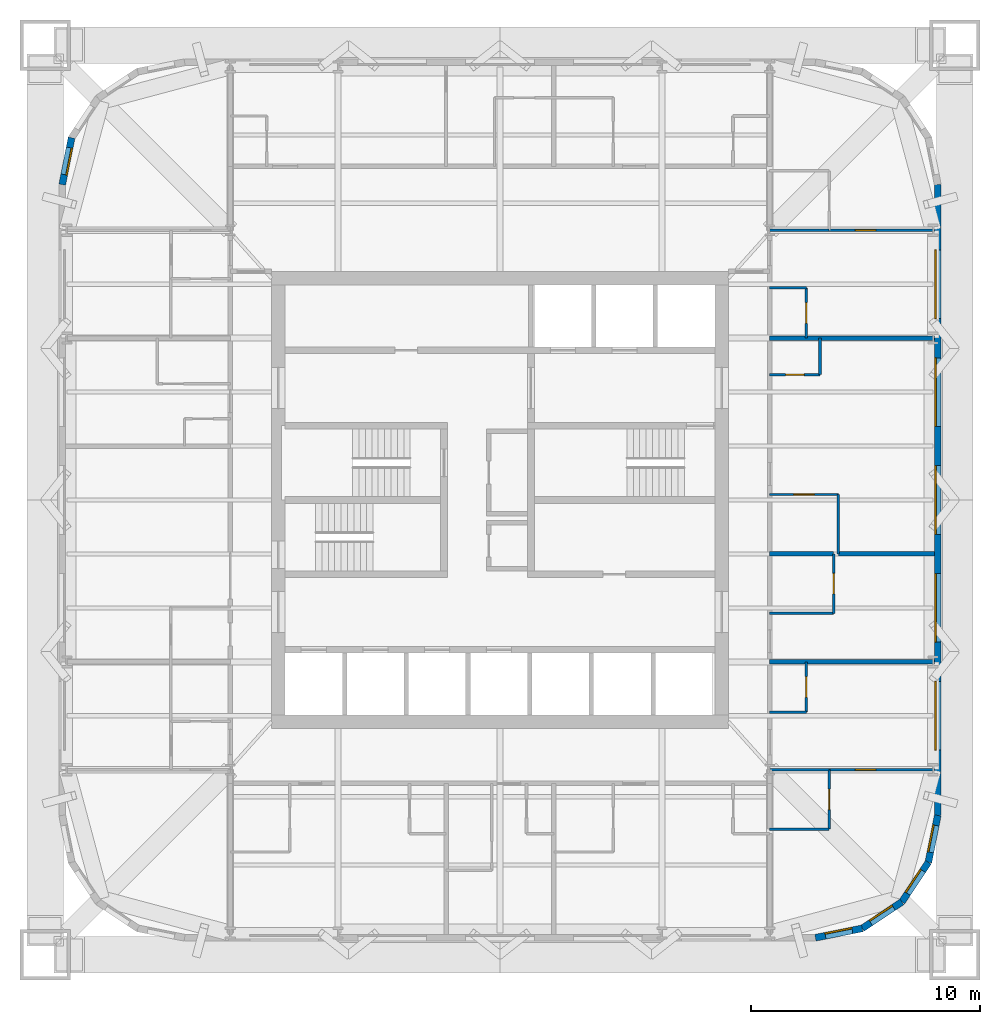
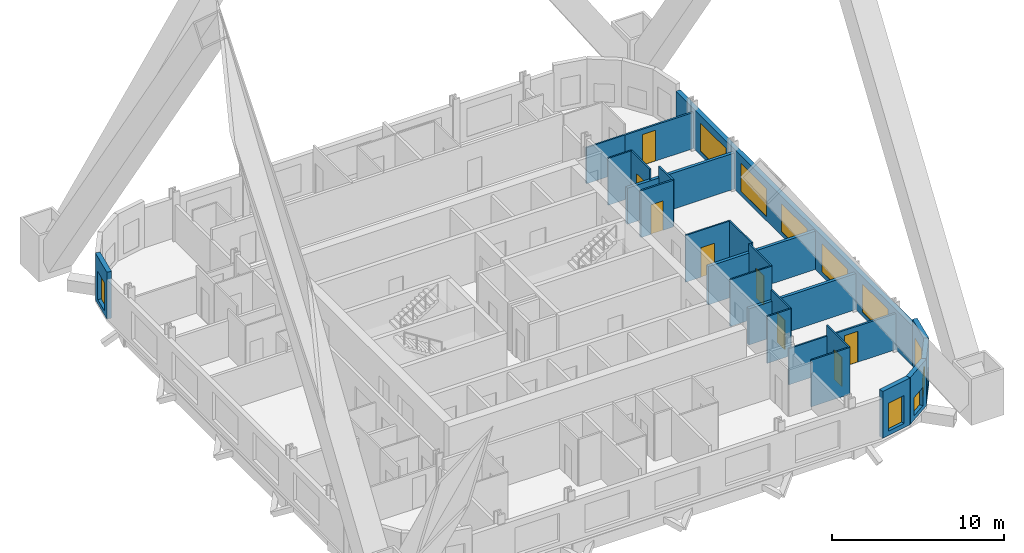
# One storey, part 6 of 9: 26 walls, 10 windows, 8 doors, 18 openings.
"""IFC4 building model written with IfcOpenShell, lengths in metres."""

from ifc_helpers import new_model, si_unit, direction, frame, frame_2d, origin, place, context, subcontext, project, spatial, rectangle, extrude, material, layer, layer_set, type_object, element, fill, save


model = new_model("IFC4")

# Units and contexts
model_context = context("Model", 3, precision=1e-05, world=origin(), true_north=direction((0.0, 1.0)))
body_context = subcontext(model_context, "Body", "Model", "MODEL_VIEW")
ifc_project = project(units=[si_unit("LENGTHUNIT", "METRE"), si_unit("AREAUNIT", "SQUARE_METRE"), si_unit("VOLUMEUNIT", "CUBIC_METRE"), si_unit("PLANEANGLEUNIT", "RADIAN"), si_unit("MASSUNIT", "GRAM", prefix="KILO")], contexts=[model_context])

# Site, building, storey
site_placement = place(None, origin())
site = spatial("IfcSite", under=ifc_project, at=site_placement, CompositionType="ELEMENT")
building_placement = place(site_placement, origin())
building = spatial("IfcBuilding", under=site, at=building_placement, Name="Turquesa Mirador Hotel Tower", CompositionType="ELEMENT")
storey_placement = place(building_placement, frame((0.0, 0.0, 161.800048828125)))
storey = spatial("IfcBuildingStorey", under=building, at=storey_placement, Name="L43", CompositionType="ELEMENT", Elevation=161.800048828125)

# Walls
ifc_material_1 = material(Name="Gypsum board on steel studs", Category="steel")
ifc_layer_1 = layer(ifc_material_1, 0.10009765625)
ifc_layer_set_1 = layer_set([ifc_layer_1], Name="BATHROOM WALL 100")
wall_type_1 = type_object("IfcWallType", Name="BATHROOM WALL 100", PredefinedType="PARTITIONING", material=ifc_layer_set_1)
wall_1_placement = place(storey_placement, frame((66.800048828125, 33.199951171875, 0.0), z_axis=(0.0, 0.0, 1.0), x_axis=(1.0, 0.0, 0.0)))
element("IfcWall", 1, at=wall_1_placement, inside=storey, type_object=wall_type_1, Name="Partition L43 001", PredefinedType="PARTITIONING", context=body_context, shape_type="SweptSolid", body=[
    extrude(rectangle(XDim=2.599853515625, YDim=0.10009765625, at=frame_2d((1.2998046875, 0.0))), origin(), (0.0, 0.0, 1.0), 2.572998046875),
])
wall_2_placement = place(storey_placement, frame((66.800048828125, 30.60009765625, 0.0), z_axis=(0.0, 0.0, 1.0), x_axis=(1.0, 0.0, 0.0)))
element("IfcWall", 2, at=wall_2_placement, inside=storey, type_object=wall_type_1, Name="Partition L43 005", PredefinedType="PARTITIONING", context=body_context, shape_type="SweptSolid", body=[
    extrude(rectangle(XDim=2.599853515625, YDim=0.10009765625, at=frame_2d((1.2998046875, 0.0))), origin(), (0.0, 0.0, 1.0), 3.329833984375),
])
wall_3_placement = place(storey_placement, frame((66.800048828125, 40.0400390625, 0.0), z_axis=(0.0, 0.0, 1.0), x_axis=(1.0, 0.0, 0.0)))
element("IfcWall", 3, at=wall_3_placement, inside=storey, type_object=wall_type_1, Name="Partition L43 015", PredefinedType="PARTITIONING", context=body_context, shape_type="SweptSolid", body=[
    extrude(rectangle(XDim=2.800048828125, YDim=0.10009765625, at=frame_2d((1.39990234375, 0.0))), origin(), (0.0, 0.0, 1.0), 3.329833984375),
])
wall_4_placement = place(storey_placement, frame((66.800048828125, 35.719970703125, 0.0), z_axis=(0.0, 0.0, 1.0), x_axis=(1.0, 0.0, 0.0)))
element("IfcWall", 4, at=wall_4_placement, inside=storey, type_object=wall_type_1, Name="Partition L43 018", PredefinedType="PARTITIONING", context=body_context, shape_type="SweptSolid", body=[
    extrude(rectangle(XDim=1.599853515625, YDim=0.10009765625, at=frame_2d((0.7998046875, 0.0))), origin(), (0.0, 0.0, 1.0), 3.329833984375),
])

# Wall, opening, door
wall_5_placement = place(storey_placement, frame((66.800048828125, 45.239990234375, 0.0), z_axis=(0.0, 0.0, 1.0), x_axis=(1.0, 0.0, 0.0)))
wall_5 = element("IfcWall", 5, at=wall_5_placement, inside=storey, type_object=wall_type_1, Name="Partition L43 020", PredefinedType="PARTITIONING", context=body_context, shape_type="SweptSolid", body=[
    extrude(rectangle(XDim=3.0, YDim=0.10009765625, at=frame_2d((1.5, 0.0))), origin(), (0.0, 0.0, 1.0), 3.329833984375),
])
opening_1_placement = place(wall_5_placement, frame((1.050048828125, 0.0, 0.0)))
opening_1 = element("IfcOpeningElement", 6, at=opening_1_placement, cuts=wall_5, Name="Opening D02", PredefinedType="OPENING", context=body_context, shape_type="SweptSolid", body=[
    extrude(rectangle(XDim=0.89990234375, YDim=2.10009765625, at=frame_2d((0.449951171875, 1.050048828125))), frame((0.0, 0.06005859375, 0.0), z_axis=(0.0, -1.0, 0.0), x_axis=(1.0, 0.0, 0.0)), (0.0, 0.0, 1.0), 0.1201171875),
])
ifc_material_2 = material(Name="Timber veneered door", Category="wood")
door_type_1 = type_object("IfcDoorType", Name="DOOR 900X2100 EN-SUITE", OperationType="SINGLE_SWING_RIGHT", PredefinedType="DOOR", material=ifc_material_2)
door_1_placement = place(opening_1_placement, origin())
door_1 = element("IfcDoor", 7, at=door_1_placement, inside=storey, type_object=door_type_1, Name="Door 4307B", OperationType="SINGLE_SWING_RIGHT", OverallHeight=2.10009765625, OverallWidth=0.89990234375, PredefinedType="DOOR", context=body_context, shape_type="SweptSolid", body=[
    extrude(rectangle(XDim=0.89990234375, YDim=2.10009765625, at=frame_2d((0.449951171875, 1.050048828125))), frame((0.0, 0.02490234375, 0.0), z_axis=(0.0, -1.0, 0.0), x_axis=(1.0, 0.0, 0.0)), (0.0, 0.0, 1.0), 0.050048828125),
])
fill(opening_1, door_1)

# Walls
wall_6_placement = place(storey_placement, frame((66.800048828125, 56.800048828125, 0.0), z_axis=(0.0, 0.0, 1.0), x_axis=(1.0, 0.0, 0.0)))
element("IfcWall", 8, at=wall_6_placement, inside=storey, type_object=wall_type_1, Name="Partition L43 023", PredefinedType="PARTITIONING", context=body_context, shape_type="SweptSolid", body=[
    extrude(rectangle(XDim=2.599853515625, YDim=0.10009765625, at=frame_2d((1.2998046875, 0.0))), origin(), (0.0, 0.0, 1.0), 2.572998046875),
])
wall_7_placement = place(storey_placement, frame((66.800048828125, 54.280029296875, 0.0), z_axis=(0.0, 0.0, 1.0), x_axis=(1.0, 0.0, 0.0)))
element("IfcWall", 9, at=wall_7_placement, inside=storey, type_object=wall_type_1, Name="Partition L43 037", PredefinedType="PARTITIONING", context=body_context, shape_type="SweptSolid", body=[
    extrude(rectangle(XDim=1.599853515625, YDim=0.10009765625, at=frame_2d((0.7998046875, 0.0))), origin(), (0.0, 0.0, 1.0), 3.329833984375),
])

# Wall, opening, door
wall_8_placement = place(storey_placement, frame((68.39990234375, 35.719970703125, 0.0), z_axis=(0.0, 0.0, 1.0), x_axis=(0.0, 1.0, 0.0)))
wall_8 = element("IfcWall", 10, at=wall_8_placement, inside=storey, type_object=wall_type_1, Name="Partition L43 062", PredefinedType="PARTITIONING", context=body_context, shape_type="SweptSolid", body=[
    extrude(rectangle(XDim=2.199951171875, YDim=0.10009765625, at=frame_2d((1.10009765625, 0.0))), origin(), (0.0, 0.0, 1.0), 3.329833984375),
])
opening_2_placement = place(wall_8_placement, frame((0.64990234375, 0.0, 0.0)))
opening_2 = element("IfcOpeningElement", 11, at=opening_2_placement, cuts=wall_8, Name="Opening D06", PredefinedType="OPENING", context=body_context, shape_type="SweptSolid", body=[
    extrude(rectangle(XDim=0.89990234375, YDim=2.10009765625, at=frame_2d((0.449951171875, 1.050048828125))), frame((0.0, 0.06005859375, 0.0), z_axis=(0.0, -1.0, 0.0), x_axis=(1.0, 0.0, 0.0)), (0.0, 0.0, 1.0), 0.1201171875),
])
ifc_material_3 = material(Name="Laminate door", Category="wood")
door_type_2 = type_object("IfcDoorType", Name="DOOR 900X2100 WC", OperationType="SINGLE_SWING_LEFT", PredefinedType="DOOR", material=ifc_material_3)
door_2_placement = place(opening_2_placement, origin())
door_2 = element("IfcDoor", 12, at=door_2_placement, inside=storey, type_object=door_type_2, Name="Door 4312W", OperationType="SINGLE_SWING_LEFT", OverallHeight=2.10009765625, OverallWidth=0.89990234375, PredefinedType="DOOR", context=body_context, shape_type="SweptSolid", body=[
    extrude(rectangle(XDim=0.89990234375, YDim=2.10009765625, at=frame_2d((0.449951171875, 1.050048828125))), frame((0.0, 0.02490234375, 0.0), z_axis=(0.0, -1.0, 0.0), x_axis=(1.0, 0.0, 0.0)), (0.0, 0.0, 1.0), 0.050048828125),
])
fill(opening_2, door_2)

wall_9_placement = place(storey_placement, frame((68.39990234375, 52.080078125, 0.0), z_axis=(0.0, 0.0, 1.0), x_axis=(0.0, 1.0, 0.0)))
wall_9 = element("IfcWall", 13, at=wall_9_placement, inside=storey, type_object=wall_type_1, Name="Partition L43 063", PredefinedType="PARTITIONING", context=body_context, shape_type="SweptSolid", body=[
    extrude(rectangle(XDim=2.199951171875, YDim=0.10009765625, at=frame_2d((1.10009765625, 0.0))), origin(), (0.0, 0.0, 1.0), 3.329833984375),
])
opening_3_placement = place(wall_9_placement, frame((0.64990234375, 0.0, 0.0)))
opening_3 = element("IfcOpeningElement", 14, at=opening_3_placement, cuts=wall_9, Name="Opening D06", PredefinedType="OPENING", context=body_context, shape_type="SweptSolid", body=[
    extrude(rectangle(XDim=0.89990234375, YDim=2.10009765625, at=frame_2d((0.449951171875, 1.050048828125))), frame((0.0, 0.06005859375, 0.0), z_axis=(0.0, -1.0, 0.0), x_axis=(1.0, 0.0, 0.0)), (0.0, 0.0, 1.0), 0.1201171875),
])
door_3_placement = place(opening_3_placement, origin())
door_3 = element("IfcDoor", 15, at=door_3_placement, inside=storey, type_object=door_type_2, Name="Door 4309W", OperationType="SINGLE_SWING_LEFT", OverallHeight=2.10009765625, OverallWidth=0.89990234375, PredefinedType="DOOR", context=body_context, shape_type="SweptSolid", body=[
    extrude(rectangle(XDim=0.89990234375, YDim=2.10009765625, at=frame_2d((0.449951171875, 1.050048828125))), frame((0.0, 0.02490234375, 0.0), z_axis=(0.0, -1.0, 0.0), x_axis=(1.0, 0.0, 0.0)), (0.0, 0.0, 1.0), 0.050048828125),
])
fill(opening_3, door_3)

wall_10_placement = place(storey_placement, frame((69.39990234375, 30.60009765625, 0.0), z_axis=(0.0, 0.0, 1.0), x_axis=(0.0, 1.0, 0.0)))
wall_10 = element("IfcWall", 16, at=wall_10_placement, inside=storey, type_object=wall_type_1, Name="Partition L43 065", PredefinedType="PARTITIONING", context=body_context, shape_type="SweptSolid", body=[
    extrude(rectangle(XDim=2.599853515625, YDim=0.10009765625, at=frame_2d((1.2998046875, 0.0))), origin(), (0.0, 0.0, 1.0), 3.329833984375),
])
opening_4_placement = place(wall_10_placement, frame((0.85009765625, 0.0, 0.0)))
opening_4 = element("IfcOpeningElement", 17, at=opening_4_placement, cuts=wall_10, Name="Opening D02", PredefinedType="OPENING", context=body_context, shape_type="SweptSolid", body=[
    extrude(rectangle(XDim=0.89990234375, YDim=2.10009765625, at=frame_2d((0.449951171875, 1.050048828125))), frame((0.0, 0.06005859375, 0.0), z_axis=(0.0, -1.0, 0.0), x_axis=(1.0, 0.0, 0.0)), (0.0, 0.0, 1.0), 0.1201171875),
])
door_4_placement = place(opening_4_placement, origin())
door_4 = element("IfcDoor", 18, at=door_4_placement, inside=storey, type_object=door_type_1, Name="Door 4312B", OperationType="SINGLE_SWING_RIGHT", OverallHeight=2.10009765625, OverallWidth=0.89990234375, PredefinedType="DOOR", context=body_context, shape_type="SweptSolid", body=[
    extrude(rectangle(XDim=0.89990234375, YDim=2.10009765625, at=frame_2d((0.449951171875, 1.050048828125))), frame((0.0, 0.02490234375, 0.0), z_axis=(0.0, -1.0, 0.0), x_axis=(1.0, 0.0, 0.0)), (0.0, 0.0, 1.0), 0.050048828125),
])
fill(opening_4, door_4)

wall_11_placement = place(storey_placement, frame((69.60009765625, 40.0400390625, 0.0), z_axis=(0.0, 0.0, 1.0), x_axis=(0.0, 1.0, 0.0)))
wall_11 = element("IfcWall", 19, at=wall_11_placement, inside=storey, type_object=wall_type_1, Name="Partition L43 067", PredefinedType="PARTITIONING", context=body_context, shape_type="SweptSolid", body=[
    extrude(rectangle(XDim=2.599853515625, YDim=0.10009765625, at=frame_2d((1.2998046875, 0.0))), origin(), (0.0, 0.0, 1.0), 3.329833984375),
])
opening_5_placement = place(wall_11_placement, frame((0.85009765625, 0.0, 0.0)))
opening_5 = element("IfcOpeningElement", 20, at=opening_5_placement, cuts=wall_11, Name="Opening D02", PredefinedType="OPENING", context=body_context, shape_type="SweptSolid", body=[
    extrude(rectangle(XDim=0.89990234375, YDim=2.10009765625, at=frame_2d((0.449951171875, 1.050048828125))), frame((0.0, 0.06005859375, 0.0), z_axis=(0.0, -1.0, 0.0), x_axis=(1.0, 0.0, 0.0)), (0.0, 0.0, 1.0), 0.1201171875),
])
door_5_placement = place(opening_5_placement, origin())
door_5 = element("IfcDoor", 21, at=door_5_placement, inside=storey, type_object=door_type_1, Name="Door 4306B", OperationType="SINGLE_SWING_RIGHT", OverallHeight=2.10009765625, OverallWidth=0.89990234375, PredefinedType="DOOR", context=body_context, shape_type="SweptSolid", body=[
    extrude(rectangle(XDim=0.89990234375, YDim=2.10009765625, at=frame_2d((0.449951171875, 1.050048828125))), frame((0.0, 0.02490234375, 0.0), z_axis=(0.0, -1.0, 0.0), x_axis=(1.0, 0.0, 0.0)), (0.0, 0.0, 1.0), 0.050048828125),
])
fill(opening_5, door_5)

# Wall
wall_12_placement = place(storey_placement, frame((69.800048828125, 42.639892578125, 0.0), z_axis=(0.0, 0.0, 1.0), x_axis=(0.0, 1.0, 0.0)))
element("IfcWall", 22, at=wall_12_placement, inside=storey, type_object=wall_type_1, Name="Partition L43 068", PredefinedType="PARTITIONING", context=body_context, shape_type="SweptSolid", body=[
    extrude(rectangle(XDim=2.60009765625, YDim=0.10009765625, at=frame_2d((1.300048828125, 0.0))), origin(), (0.0, 0.0, 1.0), 3.329833984375),
])

# Wall, opening, window
ifc_material_4 = material(Name="Limestone cladding on concrete block", Category="masonry")
ifc_layer_2 = layer(ifc_material_4, 0.300048828125)
ifc_layer_set_2 = layer_set([ifc_layer_2], Name="FACADE WALL 300 STONE SCREEN")
wall_type_2 = type_object("IfcWallType", Name="FACADE WALL 300 STONE SCREEN", PredefinedType="SOLIDWALL", material=ifc_layer_set_2)
wall_13_placement = place(storey_placement, frame((68.800048828125, 25.85009765625, 0.0), z_axis=(0.0, 0.0, 1.0), x_axis=(0.980787050784, 0.195081421501, 0.0)))
wall_13 = element("IfcWall", 23, at=wall_13_placement, inside=storey, type_object=wall_type_2, Name="Facade wall L43 00", PredefinedType="SOLIDWALL", context=body_context, shape_type="SweptSolid", body=[
    extrude(rectangle(XDim=2.08740234375, YDim=0.300048828125, at=frame_2d((1.043701171875, 0.0))), origin(), (0.0, 0.0, 1.0), 3.329833984375),
])
opening_6_placement = place(wall_13_placement, frame((0.443603515625, 0.0, 0.300048828125)))
opening_6 = element("IfcOpeningElement", 24, at=opening_6_placement, cuts=wall_13, Name="Opening WN4", PredefinedType="OPENING", context=body_context, shape_type="SweptSolid", body=[
    extrude(rectangle(XDim=1.199951171875, YDim=2.0, at=frame_2d((0.60009765625, 1.0))), frame((0.0, 0.159912109375, 0.0), z_axis=(0.0, -1.0, 0.0), x_axis=(1.0, 0.0, 0.0)), (0.0, 0.0, 1.0), 0.320068359375),
])
ifc_material_5 = material(Name="Ceramic-fritted laminated glass", Category="glass")
window_type_1 = type_object("IfcWindowType", Name="FRITTED CORNER WINDOW 1200X2000", PartitioningType="DOUBLE_PANEL_HORIZONTAL", PredefinedType="WINDOW", material=ifc_material_5)
window_1_placement = place(opening_6_placement, origin())
window_1 = element("IfcWindow", 25, at=window_1_placement, inside=storey, type_object=window_type_1, Name="Window L43", OverallHeight=2.0, OverallWidth=1.199951171875, PartitioningType="SINGLE_PANEL", PredefinedType="WINDOW", context=body_context, shape_type="SweptSolid", body=[
    extrude(rectangle(XDim=1.199951171875, YDim=2.0, at=frame_2d((0.60009765625, 1.0))), frame((0.0, 0.130126953125, 0.0), z_axis=(0.0, -1.0, 0.0), x_axis=(1.0, 0.0, 0.0)), (0.0, 0.0, 1.0), 0.06005859375),
])
fill(opening_6, window_1)

wall_14_placement = place(storey_placement, frame((70.847412109375, 26.25732421875, 0.0), z_axis=(0.0, 0.0, 1.0), x_axis=(0.831474039234, 0.555563607591, 0.0)))
wall_14 = element("IfcWall", 26, at=wall_14_placement, inside=storey, type_object=wall_type_2, Name="Facade wall L43 01", PredefinedType="SOLIDWALL", context=body_context, shape_type="SweptSolid", body=[
    extrude(rectangle(XDim=2.08740234375, YDim=0.300048828125, at=frame_2d((1.043701171875, 0.0))), origin(), (0.0, 0.0, 1.0), 3.329833984375),
])
opening_7_placement = place(wall_14_placement, frame((0.443603515625, 0.0, 0.300048828125)))
opening_7 = element("IfcOpeningElement", 27, at=opening_7_placement, cuts=wall_14, Name="Opening WN24", PredefinedType="OPENING", context=body_context, shape_type="SweptSolid", body=[
    extrude(rectangle(XDim=1.199951171875, YDim=1.300048828125, at=frame_2d((0.60009765625, 0.64990234375))), frame((0.0, 0.159912109375, 0.0), z_axis=(0.0, -1.0, 0.0), x_axis=(1.0, 0.0, 0.0)), (0.0, 0.0, 1.0), 0.320068359375),
])
ifc_material_6 = material(Name="Ceramic-fritted laminated glass", Category="glass")
window_type_2 = type_object("IfcWindowType", Name="FRITTED CORNER WINDOW 1200X1300", PartitioningType="DOUBLE_PANEL_HORIZONTAL", PredefinedType="WINDOW", material=ifc_material_6)
window_2_placement = place(opening_7_placement, origin())
window_2 = element("IfcWindow", 28, at=window_2_placement, inside=storey, type_object=window_type_2, Name="Window L43", OverallHeight=1.300048828125, OverallWidth=1.199951171875, PartitioningType="SINGLE_PANEL", PredefinedType="WINDOW", context=body_context, shape_type="SweptSolid", body=[
    extrude(rectangle(XDim=1.199951171875, YDim=1.300048828125, at=frame_2d((0.60009765625, 0.64990234375))), frame((0.0, 0.130126953125, 0.0), z_axis=(0.0, -1.0, 0.0), x_axis=(1.0, 0.0, 0.0)), (0.0, 0.0, 1.0), 0.06005859375),
])
fill(opening_7, window_2)

wall_15_placement = place(storey_placement, frame((72.5830078125, 27.4169921875, 0.0), z_axis=(0.0, 0.0, 1.0), x_axis=(0.555563607591, 0.831474039234, 0.0)))
wall_15 = element("IfcWall", 29, at=wall_15_placement, inside=storey, type_object=wall_type_2, Name="Facade wall L43 02", PredefinedType="SOLIDWALL", context=body_context, shape_type="SweptSolid", body=[
    extrude(rectangle(XDim=2.08740234375, YDim=0.300048828125, at=frame_2d((1.043701171875, 0.0))), origin(), (0.0, 0.0, 1.0), 3.329833984375),
])
opening_8_placement = place(wall_15_placement, frame((0.443603515625, 0.0, 0.300048828125)))
opening_8 = element("IfcOpeningElement", 30, at=opening_8_placement, cuts=wall_15, Name="Opening WN24", PredefinedType="OPENING", context=body_context, shape_type="SweptSolid", body=[
    extrude(rectangle(XDim=1.199951171875, YDim=1.300048828125, at=frame_2d((0.60009765625, 0.64990234375))), frame((0.0, 0.159912109375, 0.0), z_axis=(0.0, -1.0, 0.0), x_axis=(1.0, 0.0, 0.0)), (0.0, 0.0, 1.0), 0.320068359375),
])
window_3_placement = place(opening_8_placement, origin())
window_3 = element("IfcWindow", 31, at=window_3_placement, inside=storey, type_object=window_type_2, Name="Window L43", OverallHeight=1.300048828125, OverallWidth=1.199951171875, PartitioningType="SINGLE_PANEL", PredefinedType="WINDOW", context=body_context, shape_type="SweptSolid", body=[
    extrude(rectangle(XDim=1.199951171875, YDim=1.300048828125, at=frame_2d((0.60009765625, 0.64990234375))), frame((0.0, 0.130126953125, 0.0), z_axis=(0.0, -1.0, 0.0), x_axis=(1.0, 0.0, 0.0)), (0.0, 0.0, 1.0), 0.06005859375),
])
fill(opening_8, window_3)

wall_16_placement = place(storey_placement, frame((73.74267578125, 29.152587890625, 0.0), z_axis=(0.0, 0.0, 1.0), x_axis=(0.195081421501, 0.980787050784, 0.0)))
wall_16 = element("IfcWall", 32, at=wall_16_placement, inside=storey, type_object=wall_type_2, Name="Facade wall L43 03", PredefinedType="SOLIDWALL", context=body_context, shape_type="SweptSolid", body=[
    extrude(rectangle(XDim=2.08740234375, YDim=0.300048828125, at=frame_2d((1.043701171875, 0.0))), origin(), (0.0, 0.0, 1.0), 3.329833984375),
])
opening_9_placement = place(wall_16_placement, frame((0.443603515625, 0.0, 0.300048828125)))
opening_9 = element("IfcOpeningElement", 33, at=opening_9_placement, cuts=wall_16, Name="Opening WN4", PredefinedType="OPENING", context=body_context, shape_type="SweptSolid", body=[
    extrude(rectangle(XDim=1.199951171875, YDim=2.0, at=frame_2d((0.60009765625, 1.0))), frame((0.0, 0.159912109375, 0.0), z_axis=(0.0, -1.0, 0.0), x_axis=(1.0, 0.0, 0.0)), (0.0, 0.0, 1.0), 0.320068359375),
])
window_4_placement = place(opening_9_placement, origin())
window_4 = element("IfcWindow", 34, at=window_4_placement, inside=storey, type_object=window_type_1, Name="Window L43", OverallHeight=2.0, OverallWidth=1.199951171875, PartitioningType="SINGLE_PANEL", PredefinedType="WINDOW", context=body_context, shape_type="SweptSolid", body=[
    extrude(rectangle(XDim=1.199951171875, YDim=2.0, at=frame_2d((0.60009765625, 1.0))), frame((0.0, 0.130126953125, 0.0), z_axis=(0.0, -1.0, 0.0), x_axis=(1.0, 0.0, 0.0)), (0.0, 0.0, 1.0), 0.06005859375),
])
fill(opening_9, window_4)

# Wall, openings, windows
wall_17_placement = place(storey_placement, frame((74.14990234375, 31.199951171875, 0.0), z_axis=(0.0, 0.0, 1.0), x_axis=(0.0, 1.0, 0.0)))
wall_17 = element("IfcWall", 35, at=wall_17_placement, inside=storey, type_object=wall_type_2, Name="Facade wall L43 04", PredefinedType="SOLIDWALL", context=body_context, shape_type="SweptSolid", body=[
    extrude(rectangle(XDim=27.60009765625, YDim=0.300048828125, at=frame_2d((13.800048828125, 0.0))), origin(), (0.0, 0.0, 1.0), 2.829833984375),
])
opening_10_placement = place(wall_17_placement, frame((2.860107421875, 0.0, 0.300048828125)))
opening_10 = element("IfcOpeningElement", 36, at=opening_10_placement, cuts=wall_17, Name="Opening WN1", PredefinedType="OPENING", context=body_context, shape_type="SweptSolid", body=[
    extrude(rectangle(XDim=3.0, YDim=2.0, at=frame_2d((1.5, 1.0))), frame((0.0, 0.159912109375, 0.0), z_axis=(0.0, -1.0, 0.0), x_axis=(1.0, 0.0, 0.0)), (0.0, 0.0, 1.0), 0.320068359375),
])
opening_11_placement = place(wall_17_placement, frame((7.580078125, 0.0, 0.300048828125)))
opening_11 = element("IfcOpeningElement", 37, at=opening_11_placement, cuts=wall_17, Name="Opening WN1", PredefinedType="OPENING", context=body_context, shape_type="SweptSolid", body=[
    extrude(rectangle(XDim=3.0, YDim=2.0, at=frame_2d((1.5, 1.0))), frame((0.0, 0.159912109375, 0.0), z_axis=(0.0, -1.0, 0.0), x_axis=(1.0, 0.0, 0.0)), (0.0, 0.0, 1.0), 0.320068359375),
])
opening_12_placement = place(wall_17_placement, frame((12.300048828125, 0.0, 0.300048828125)))
opening_12 = element("IfcOpeningElement", 38, at=opening_12_placement, cuts=wall_17, Name="Opening WN1", PredefinedType="OPENING", context=body_context, shape_type="SweptSolid", body=[
    extrude(rectangle(XDim=3.0, YDim=2.0, at=frame_2d((1.5, 1.0))), frame((0.0, 0.159912109375, 0.0), z_axis=(0.0, -1.0, 0.0), x_axis=(1.0, 0.0, 0.0)), (0.0, 0.0, 1.0), 0.320068359375),
])
opening_13_placement = place(wall_17_placement, frame((17.02001953125, 0.0, 0.300048828125)))
opening_13 = element("IfcOpeningElement", 39, at=opening_13_placement, cuts=wall_17, Name="Opening WN1", PredefinedType="OPENING", context=body_context, shape_type="SweptSolid", body=[
    extrude(rectangle(XDim=3.0, YDim=2.0, at=frame_2d((1.5, 1.0))), frame((0.0, 0.159912109375, 0.0), z_axis=(0.0, -1.0, 0.0), x_axis=(1.0, 0.0, 0.0)), (0.0, 0.0, 1.0), 0.320068359375),
])
opening_14_placement = place(wall_17_placement, frame((21.739990234375, 0.0, 0.300048828125)))
opening_14 = element("IfcOpeningElement", 40, at=opening_14_placement, cuts=wall_17, Name="Opening WN1", PredefinedType="OPENING", context=body_context, shape_type="SweptSolid", body=[
    extrude(rectangle(XDim=3.0, YDim=2.0, at=frame_2d((1.5, 1.0))), frame((0.0, 0.159912109375, 0.0), z_axis=(0.0, -1.0, 0.0), x_axis=(1.0, 0.0, 0.0)), (0.0, 0.0, 1.0), 0.320068359375),
])
ifc_material_7 = material(Name="Ceramic-fritted laminated glass", Category="glass")
window_type_3 = type_object("IfcWindowType", Name="FRITTED WINDOW 3000X2000", PartitioningType="DOUBLE_PANEL_HORIZONTAL", PredefinedType="WINDOW", material=ifc_material_7)
window_5_placement = place(opening_10_placement, origin())
window_5 = element("IfcWindow", 41, at=window_5_placement, inside=storey, type_object=window_type_3, Name="Window L43", OverallHeight=2.0, OverallWidth=3.0, PartitioningType="SINGLE_PANEL", PredefinedType="WINDOW", context=body_context, shape_type="SweptSolid", body=[
    extrude(rectangle(XDim=3.0, YDim=2.0, at=frame_2d((1.5, 1.0))), frame((0.0, 0.130126953125, 0.0), z_axis=(0.0, -1.0, 0.0), x_axis=(1.0, 0.0, 0.0)), (0.0, 0.0, 1.0), 0.06005859375),
])
fill(opening_10, window_5)
window_6_placement = place(opening_11_placement, origin())
window_6 = element("IfcWindow", 42, at=window_6_placement, inside=storey, type_object=window_type_3, Name="Window L43", OverallHeight=2.0, OverallWidth=3.0, PartitioningType="SINGLE_PANEL", PredefinedType="WINDOW", context=body_context, shape_type="SweptSolid", body=[
    extrude(rectangle(XDim=3.0, YDim=2.0, at=frame_2d((1.5, 1.0))), frame((0.0, 0.130126953125, 0.0), z_axis=(0.0, -1.0, 0.0), x_axis=(1.0, 0.0, 0.0)), (0.0, 0.0, 1.0), 0.06005859375),
])
fill(opening_11, window_6)
window_7_placement = place(opening_12_placement, origin())
window_7 = element("IfcWindow", 43, at=window_7_placement, inside=storey, type_object=window_type_3, Name="Window L43", OverallHeight=2.0, OverallWidth=3.0, PartitioningType="SINGLE_PANEL", PredefinedType="WINDOW", context=body_context, shape_type="SweptSolid", body=[
    extrude(rectangle(XDim=3.0, YDim=2.0, at=frame_2d((1.5, 1.0))), frame((0.0, 0.130126953125, 0.0), z_axis=(0.0, -1.0, 0.0), x_axis=(1.0, 0.0, 0.0)), (0.0, 0.0, 1.0), 0.06005859375),
])
fill(opening_12, window_7)
window_8_placement = place(opening_13_placement, origin())
window_8 = element("IfcWindow", 44, at=window_8_placement, inside=storey, type_object=window_type_3, Name="Window L43", OverallHeight=2.0, OverallWidth=3.0, PartitioningType="SINGLE_PANEL", PredefinedType="WINDOW", context=body_context, shape_type="SweptSolid", body=[
    extrude(rectangle(XDim=3.0, YDim=2.0, at=frame_2d((1.5, 1.0))), frame((0.0, 0.130126953125, 0.0), z_axis=(0.0, -1.0, 0.0), x_axis=(1.0, 0.0, 0.0)), (0.0, 0.0, 1.0), 0.06005859375),
])
fill(opening_13, window_8)
window_9_placement = place(opening_14_placement, origin())
window_9 = element("IfcWindow", 45, at=window_9_placement, inside=storey, type_object=window_type_3, Name="Window L43", OverallHeight=2.0, OverallWidth=3.0, PartitioningType="SINGLE_PANEL", PredefinedType="WINDOW", context=body_context, shape_type="SweptSolid", body=[
    extrude(rectangle(XDim=3.0, YDim=2.0, at=frame_2d((1.5, 1.0))), frame((0.0, 0.130126953125, 0.0), z_axis=(0.0, -1.0, 0.0), x_axis=(1.0, 0.0, 0.0)), (0.0, 0.0, 1.0), 0.06005859375),
])
fill(opening_14, window_9)

# Wall, opening, window
wall_18_placement = place(storey_placement, frame((36.25732421875, 60.847412109375, 0.0), z_axis=(0.0, 0.0, 1.0), x_axis=(-0.195081421501, -0.980787050784, 0.0)))
wall_18 = element("IfcWall", 46, at=wall_18_placement, inside=storey, type_object=wall_type_2, Name="Facade wall L43 13", PredefinedType="SOLIDWALL", context=body_context, shape_type="SweptSolid", body=[
    extrude(rectangle(XDim=2.08740234375, YDim=0.300048828125, at=frame_2d((1.043701171875, 0.0))), origin(), (0.0, 0.0, 1.0), 3.329833984375),
])
opening_15_placement = place(wall_18_placement, frame((0.443603515625, 0.0, 0.300048828125)))
opening_15 = element("IfcOpeningElement", 47, at=opening_15_placement, cuts=wall_18, Name="Opening WN4", PredefinedType="OPENING", context=body_context, shape_type="SweptSolid", body=[
    extrude(rectangle(XDim=1.199951171875, YDim=2.0, at=frame_2d((0.60009765625, 1.0))), frame((0.0, 0.159912109375, 0.0), z_axis=(0.0, -1.0, 0.0), x_axis=(1.0, 0.0, 0.0)), (0.0, 0.0, 1.0), 0.320068359375),
])
window_10_placement = place(opening_15_placement, origin())
window_10 = element("IfcWindow", 48, at=window_10_placement, inside=storey, type_object=window_type_1, Name="Window L43", OverallHeight=2.0, OverallWidth=1.199951171875, PartitioningType="SINGLE_PANEL", PredefinedType="WINDOW", context=body_context, shape_type="SweptSolid", body=[
    extrude(rectangle(XDim=1.199951171875, YDim=2.0, at=frame_2d((0.60009765625, 1.0))), frame((0.0, 0.130126953125, 0.0), z_axis=(0.0, -1.0, 0.0), x_axis=(1.0, 0.0, 0.0)), (0.0, 0.0, 1.0), 0.06005859375),
])
fill(opening_15, window_10)

# Walls
ifc_material_8 = material(Name="Fire-rated gypsum board on steel studs", Category="steel")
ifc_layer_3 = layer(ifc_material_8, 0.199951171875)
ifc_layer_set_3 = layer_set([ifc_layer_3], Name="PARTY WALL 200")
wall_type_3 = type_object("IfcWallType", Name="PARTY WALL 200", PredefinedType="PARTITIONING", material=ifc_layer_set_3)
wall_19_placement = place(storey_placement, frame((66.800048828125, 42.639892578125, 0.0), z_axis=(0.0, 0.0, 1.0), x_axis=(1.0, 0.0, 0.0)))
element("IfcWall", 49, at=wall_19_placement, inside=storey, type_object=wall_type_3, Name="Partition L43 012", PredefinedType="PARTITIONING", context=body_context, shape_type="SweptSolid", body=[
    extrude(rectangle(XDim=2.800048828125, YDim=0.199951171875, at=frame_2d((1.39990234375, 0.0))), origin(), (0.0, 0.0, 1.0), 2.73046875),
])
wall_20_placement = place(storey_placement, frame((69.800048828125, 42.639892578125, 0.0), z_axis=(0.0, 0.0, 1.0), x_axis=(1.0, 0.0, 0.0)))
element("IfcWall", 50, at=wall_20_placement, inside=storey, type_object=wall_type_3, Name="Partition L43 013", PredefinedType="PARTITIONING", context=body_context, shape_type="SweptSolid", body=[
    extrude(rectangle(XDim=4.199951171875, YDim=0.199951171875, at=frame_2d((2.10009765625, 0.0))), origin(), (0.0, 0.0, 1.0), 2.73046875),
])
for number, where, z_axis, x_axis, name in (
    (51, (66.800048828125, 37.919921875, 0.0), (0.0, 0.0, 1.0), (1.0, 0.0, 0.0), "Partition L43 017"),
    (52, (66.800048828125, 52.080078125, 0.0), (0.0, 0.0, 1.0), (1.0, 0.0, 0.0), "Partition L43 036"),
):
    element("IfcWall", number, at=place(storey_placement, frame(where, z_axis=z_axis, x_axis=x_axis)), inside=storey, type_object=wall_type_3, Name=name, PredefinedType="PARTITIONING", context=body_context, shape_type="SweptSolid", body=[
        extrude(rectangle(XDim=7.199951171875, YDim=0.199951171875, at=frame_2d((3.60009765625, 0.0))), origin(), (0.0, 0.0, 1.0), 2.572998046875),
    ])

# Wall, opening, door
ifc_material_9 = material(Name="Acoustic gypsum board on steel studs", Category="steel")
ifc_layer_4 = layer(ifc_material_9, 0.125)
ifc_layer_set_4 = layer_set([ifc_layer_4], Name="SUITE PARTITION 125")
wall_type_4 = type_object("IfcWallType", Name="SUITE PARTITION 125", PredefinedType="PARTITIONING", material=ifc_layer_set_4)
wall_21_placement = place(storey_placement, frame((69.39990234375, 33.199951171875, 0.0), z_axis=(0.0, 0.0, 1.0), x_axis=(1.0, 0.0, 0.0)))
wall_21 = element("IfcWall", 53, at=wall_21_placement, inside=storey, type_object=wall_type_4, Name="Partition L43 003", PredefinedType="PARTITIONING", context=body_context, shape_type="SweptSolid", body=[
    extrude(rectangle(XDim=4.60009765625, YDim=0.125, at=frame_2d((2.300048828125, 0.0))), origin(), (0.0, 0.0, 1.0), 2.572998046875),
])
opening_16_placement = place(wall_21_placement, frame((1.14990234375, 0.0, 0.0)))
opening_16 = element("IfcOpeningElement", 54, at=opening_16_placement, cuts=wall_21, Name="Opening D17", PredefinedType="OPENING", context=body_context, shape_type="SweptSolid", body=[
    extrude(rectangle(XDim=0.89990234375, YDim=2.199951171875, at=frame_2d((0.449951171875, 1.10009765625))), frame((0.0, 0.072509765625, 0.0), z_axis=(0.0, -1.0, 0.0), x_axis=(1.0, 0.0, 0.0)), (0.0, 0.0, 1.0), 0.14501953125),
])
ifc_material_10 = material(Name="Timber veneered door", Category="wood")
door_type_3 = type_object("IfcDoorType", Name="DOOR 900X2200 SUITE INTERNAL", OperationType="SINGLE_SWING_LEFT", PredefinedType="DOOR", material=ifc_material_10)
door_6_placement = place(opening_16_placement, origin())
door_6 = element("IfcDoor", 55, at=door_6_placement, inside=storey, type_object=door_type_3, Name="Door 4312R", OperationType="SINGLE_SWING_LEFT", OverallHeight=2.199951171875, OverallWidth=0.89990234375, PredefinedType="DOOR", context=body_context, shape_type="SweptSolid", body=[
    extrude(rectangle(XDim=0.89990234375, YDim=2.199951171875, at=frame_2d((0.449951171875, 1.10009765625))), frame((0.0, 0.02490234375, 0.0), z_axis=(0.0, -1.0, 0.0), x_axis=(1.0, 0.0, 0.0)), (0.0, 0.0, 1.0), 0.050048828125),
])
fill(opening_16, door_6)

wall_22_placement = place(storey_placement, frame((69.39990234375, 56.800048828125, 0.0), z_axis=(0.0, 0.0, 1.0), x_axis=(1.0, 0.0, 0.0)))
wall_22 = element("IfcWall", 56, at=wall_22_placement, inside=storey, type_object=wall_type_4, Name="Partition L43 025", PredefinedType="PARTITIONING", context=body_context, shape_type="SweptSolid", body=[
    extrude(rectangle(XDim=4.60009765625, YDim=0.125, at=frame_2d((2.300048828125, 0.0))), origin(), (0.0, 0.0, 1.0), 2.572998046875),
])
opening_17_placement = place(wall_22_placement, frame((1.14990234375, 0.0, 0.0)))
opening_17 = element("IfcOpeningElement", 57, at=opening_17_placement, cuts=wall_22, Name="Opening D17", PredefinedType="OPENING", context=body_context, shape_type="SweptSolid", body=[
    extrude(rectangle(XDim=0.89990234375, YDim=2.199951171875, at=frame_2d((0.449951171875, 1.10009765625))), frame((0.0, 0.072509765625, 0.0), z_axis=(0.0, -1.0, 0.0), x_axis=(1.0, 0.0, 0.0)), (0.0, 0.0, 1.0), 0.14501953125),
])
door_7_placement = place(opening_17_placement, origin())
door_7 = element("IfcDoor", 58, at=door_7_placement, inside=storey, type_object=door_type_3, Name="Door 4309R", OperationType="SINGLE_SWING_LEFT", OverallHeight=2.199951171875, OverallWidth=0.89990234375, PredefinedType="DOOR", context=body_context, shape_type="SweptSolid", body=[
    extrude(rectangle(XDim=0.89990234375, YDim=2.199951171875, at=frame_2d((0.449951171875, 1.10009765625))), frame((0.0, 0.02490234375, 0.0), z_axis=(0.0, -1.0, 0.0), x_axis=(1.0, 0.0, 0.0)), (0.0, 0.0, 1.0), 0.050048828125),
])
fill(opening_17, door_7)

wall_23_placement = place(storey_placement, frame((66.800048828125, 50.47998046875, 0.0), z_axis=(0.0, 0.0, 1.0), x_axis=(1.0, 0.0, 0.0)))
wall_23 = element("IfcWall", 59, at=wall_23_placement, inside=storey, type_object=wall_type_4, Name="Partition L43 034", PredefinedType="PARTITIONING", context=body_context, shape_type="SweptSolid", body=[
    extrude(rectangle(XDim=2.199951171875, YDim=0.125, at=frame_2d((1.10009765625, 0.0))), origin(), (0.0, 0.0, 1.0), 3.329833984375),
])
opening_18_placement = place(wall_23_placement, frame((0.699951171875, 0.0, 0.0)))
opening_18 = element("IfcOpeningElement", 60, at=opening_18_placement, cuts=wall_23, Name="Opening D20", PredefinedType="OPENING", context=body_context, shape_type="SweptSolid", body=[
    extrude(rectangle(XDim=0.800048828125, YDim=2.10009765625, at=frame_2d((0.39990234375, 1.050048828125))), frame((0.0, 0.072509765625, 0.0), z_axis=(0.0, -1.0, 0.0), x_axis=(1.0, 0.0, 0.0)), (0.0, 0.0, 1.0), 0.14501953125),
])
ifc_material_11 = material(Name="Timber veneered sliding door", Category="wood")
door_type_4 = type_object("IfcDoorType", Name="DOOR 800X2100 WARDROBE", OperationType="SLIDING_TO_LEFT", PredefinedType="DOOR", material=ifc_material_11)
door_8_placement = place(opening_18_placement, origin())
door_8 = element("IfcDoor", 61, at=door_8_placement, inside=storey, type_object=door_type_4, Name="Door 4307W", OperationType="SLIDING_TO_LEFT", OverallHeight=2.10009765625, OverallWidth=0.800048828125, PredefinedType="DOOR", context=body_context, shape_type="SweptSolid", body=[
    extrude(rectangle(XDim=0.800048828125, YDim=2.10009765625, at=frame_2d((0.39990234375, 1.050048828125))), frame((0.0, 0.02490234375, 0.0), z_axis=(0.0, -1.0, 0.0), x_axis=(1.0, 0.0, 0.0)), (0.0, 0.0, 1.0), 0.050048828125),
])
fill(opening_18, door_8)

# Wall
wall_24_placement = place(storey_placement, frame((69.0, 50.47998046875, 0.0), z_axis=(0.0, 0.0, 1.0), x_axis=(0.0, 1.0, 0.0)))
element("IfcWall", 62, at=wall_24_placement, inside=storey, type_object=wall_type_4, Name="Partition L43 064", PredefinedType="PARTITIONING", context=body_context, shape_type="SweptSolid", body=[
    extrude(rectangle(XDim=1.60009765625, YDim=0.125, at=frame_2d((0.800048828125, 0.0))), origin(), (0.0, 0.0, 1.0), 3.329833984375),
])

save(model, "model.ifc")
